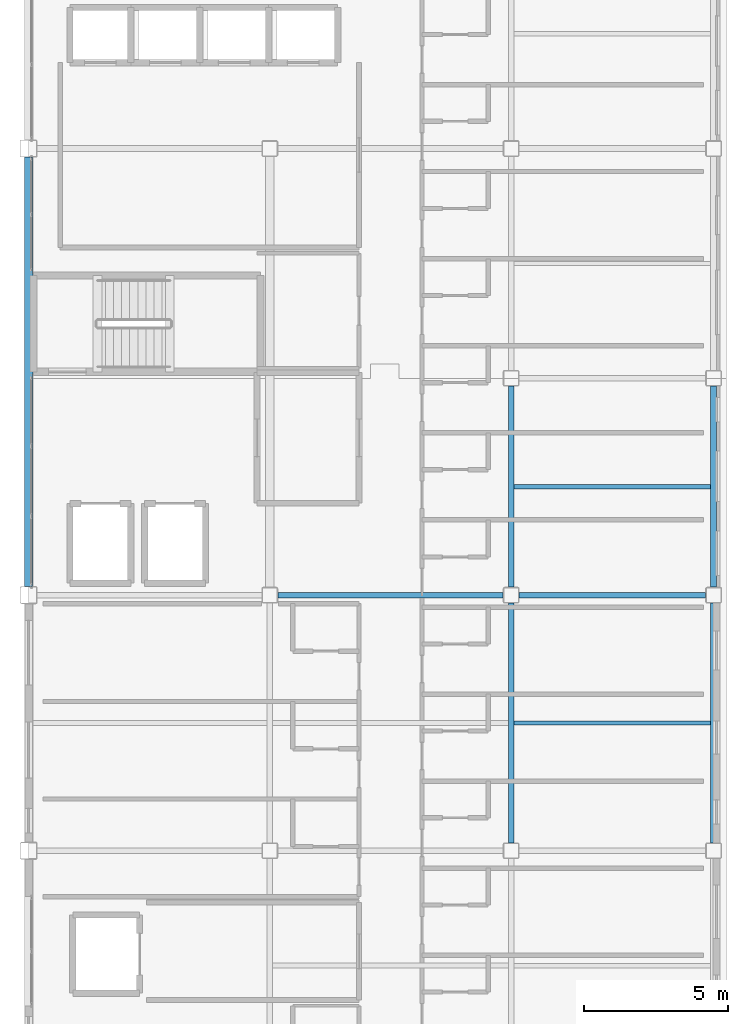
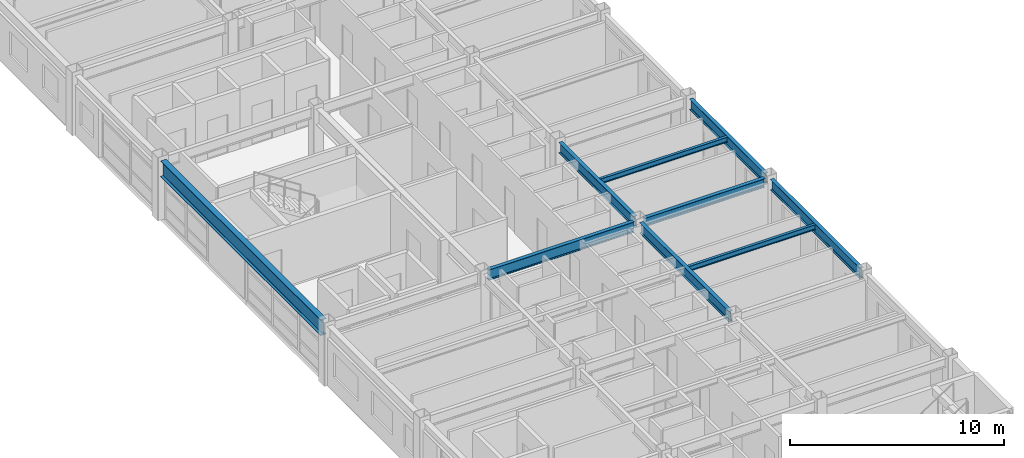
# One storey, part 13 of 36: 9 beams.
"""IFC4 building model written with IfcOpenShell, lengths in metres."""

import ifcopenshell
import ifcopenshell.guid

model = None  # the IFC model being written
_history = None  # IfcOwnerHistory: only IFC2X3 demands one
_inside = {}  # id of a spatial element -> (the spatial element, [elements in it])
_under = {}  # id of a project, library or spatial element -> (it, [spatial elements below it])
_declared = {}  # id of a project -> (the project, [libraries it declares])
_typed = {}  # id of a type object -> (the type object, [elements of that type])
_made_of = {}  # id of a material, layer set ... -> (it, [elements and type objects made of it])


def new_model(schema):
    """Start an empty IFC model of exactly this schema.

    Asked for "IFC4X3", IfcOpenShell would pick the latest addendum, in which some entities
    have other attributes; the version numbers below select the first issue.
    IFC2X3 requires an IfcOwnerHistory on every rooted entity: one is made here for all.
    """
    global model, _history
    if schema == "IFC4X3":
        model = ifcopenshell.file(schema_version=(4, 3, 0, 0))
    else:
        model = ifcopenshell.file(schema=schema)
    _inside.clear()
    _under.clear()
    _declared.clear()
    _typed.clear()
    _made_of.clear()
    _history = None
    if model.schema == "IFC2X3":
        org = make("IfcOrganization", Name="unknown")
        user = make(
            "IfcPersonAndOrganization",
            ThePerson=make("IfcPerson", FamilyName="unknown"),
            TheOrganization=org,
        )
        app = make(
            "IfcApplication",
            ApplicationDeveloper=org,
            Version="unknown",
            ApplicationFullName="unknown",
            ApplicationIdentifier="unknown",
        )
        _history = make(
            "IfcOwnerHistory",
            OwningUser=user,
            OwningApplication=app,
            ChangeAction="ADDED",
            CreationDate=0,
        )
    return model


def make(cls, **values):
    """One entity of the class cls with the attributes given. An attribute that is None is left unset."""
    return model.create_entity(
        cls, **{name: value for name, value in values.items() if value is not None}
    )


def rooted(cls, **values):
    """An entity with a GlobalId (a new one), such as an element, a storey or a relation."""
    return make(cls, GlobalId=ifcopenshell.guid.new(), OwnerHistory=_history, **values)


def si_unit(unit_type, name, prefix=None):
    """IfcSIUnit, for example si_unit("LENGTHUNIT", "METRE", prefix="MILLI")."""
    return make("IfcSIUnit", UnitType=unit_type, Prefix=prefix, Name=name)


def assignment(units):
    """IfcUnitAssignment: the units of a project."""
    return None if units is None else make("IfcUnitAssignment", Units=units)


def point(xyz):
    """IfcCartesianPoint."""
    return None if xyz is None else make("IfcCartesianPoint", Coordinates=xyz)


def direction(xyz):
    """IfcDirection."""
    return None if xyz is None else make("IfcDirection", DirectionRatios=xyz)


def frame(location, z_axis=None, x_axis=None):
    """IfcAxis2Placement3D, a coordinate frame: its origin and axes. An axis left out is left unset."""
    return make(
        "IfcAxis2Placement3D",
        Location=point(location),
        Axis=direction(z_axis),
        RefDirection=direction(x_axis),
    )


def frame_2d(location, x_axis=None):
    """IfcAxis2Placement2D, a coordinate frame in the plane: its origin and x axis."""
    return make(
        "IfcAxis2Placement2D", Location=point(location), RefDirection=direction(x_axis)
    )


def origin():
    """The frame at (0, 0, 0) with its axes left unset."""
    return frame((0.0, 0.0, 0.0))


def origin_2d():
    """The frame at (0, 0) in the plane with its x axis left unset."""
    return frame_2d((0.0, 0.0))


def place(relative_to, where):
    """IfcLocalPlacement: puts the frame where relative to a parent placement (None: the world)."""
    return make(
        "IfcLocalPlacement", PlacementRelTo=relative_to, RelativePlacement=where
    )


def context(
    kind, dimensions, precision=None, world=None, true_north=None, identifier=None
):
    """IfcGeometricRepresentationContext, for example the 3D "Model" context."""
    return make(
        "IfcGeometricRepresentationContext",
        ContextIdentifier=identifier,
        ContextType=kind,
        CoordinateSpaceDimension=dimensions,
        Precision=precision,
        WorldCoordinateSystem=world,
        TrueNorth=true_north,
    )


def subcontext(parent, identifier, kind, view, scale=None):
    """IfcGeometricRepresentationSubContext, for example "Body" below "Model"."""
    return make(
        "IfcGeometricRepresentationSubContext",
        ContextIdentifier=identifier,
        ContextType=kind,
        ParentContext=parent,
        TargetScale=scale,
        TargetView=view,
    )


def project(units=None, contexts=None):
    """IfcProject with its units and contexts."""
    return rooted(
        "IfcProject",
        Name="project",
        RepresentationContexts=contexts,
        UnitsInContext=assignment(units),
    )


def spatial(cls, under=None, at=None, **own):
    """A site, building, storey or space (cls), placed at a placement, below another one or the project."""
    s = rooted(cls, ObjectPlacement=at, **own)
    if under is not None:
        _under.setdefault(under.id(), (under, []))[1].append(s)
    return s


def profile(cls, at=None, kind="AREA", **sizes):
    """A parametric profile (cls). Its sizes go by their IFC names, for example OverallWidth=200.0."""
    return make(cls, ProfileType=kind, Position=at, **sizes)


def i_section(**sizes):
    """IfcIShapeProfileDef."""
    return profile("IfcIShapeProfileDef", **sizes)


def extrude(swept, where, along, depth):
    """IfcExtrudedAreaSolid: the profile swept, set in the frame where, extruded along a direction by depth."""
    return make(
        "IfcExtrudedAreaSolid",
        SweptArea=swept,
        Position=where,
        ExtrudedDirection=direction(along),
        Depth=depth,
    )


def shape(context_of_items, identifier, shape_type, items):
    """IfcShapeRepresentation: the items that make up one representation, for example the "Body"."""
    return make(
        "IfcShapeRepresentation",
        ContextOfItems=context_of_items,
        RepresentationIdentifier=identifier,
        RepresentationType=shape_type,
        Items=items,
    )


def material(Name=None, Category=None):
    """IfcMaterial."""
    return make("IfcMaterial", Name=Name, Category=Category)


def material_profile(
    of_material, cross_section, Name=None, Category=None, Priority=None
):
    """IfcMaterialProfile: a cross section and its material."""
    return make(
        "IfcMaterialProfile",
        Name=Name,
        Material=of_material,
        Profile=cross_section,
        Priority=Priority,
        Category=Category,
    )


def profile_set(profiles, Name=None, composite=None):
    """IfcMaterialProfileSet."""
    return make(
        "IfcMaterialProfileSet",
        Name=Name,
        MaterialProfiles=profiles,
        CompositeProfile=composite,
    )


def made_of(thing, what):
    """Note that an element or type object is made of a material, layer set ...; save() writes the relation."""
    if what is not None:
        _made_of.setdefault(what.id(), (what, []))[1].append(thing)
    return thing


def type_object(cls, material=None, **own):
    """A type object (cls), such as IfcWallType, which elements share."""
    return made_of(rooted(cls, **own), material)


def element(
    cls,
    number,
    at=None,
    inside=None,
    cuts=None,
    type_object=None,
    material=None,
    context=None,
    identifier="Body",
    shape_type=None,
    held_by="IfcProductDefinitionShape",
    body=None,
    shapes=None,
    **own,
):
    """One element of the class cls, such as IfcWall. Its Tag is "e" and its number.

    at: its placement. inside: the storey or other place that contains it. cuts: it is an
    opening in that element (IfcRelVoidsElement). A single representation is given by context,
    identifier, shape_type and body (its items); several are given by shapes. held_by: the class
    of the entity that holds the representations. save() writes the other relations.
    """
    e = rooted(cls, Tag="e%d" % number, ObjectPlacement=at, **own)
    if body is not None:
        shapes = [shape(context, identifier, shape_type, body)]
    if shapes is not None:
        e.Representation = make(held_by, Representations=shapes)
    if inside is not None:
        _inside.setdefault(inside.id(), (inside, []))[1].append(e)
    if cuts is not None:
        rooted(
            "IfcRelVoidsElement", RelatingBuildingElement=cuts, RelatedOpeningElement=e
        )
    if type_object is not None:
        _typed.setdefault(type_object.id(), (type_object, []))[1].append(e)
    return made_of(e, material)


def aggregate(whole, parts):
    """IfcRelAggregates: a whole, such as a stair, and the parts it consists of."""
    return rooted("IfcRelAggregates", RelatingObject=whole, RelatedObjects=parts)


def save(model, path):
    """Write the relations noted so far, then the file.

    IfcRelAggregates (storeys below a building ...), IfcRelContainedInSpatialStructure (elements
    in a storey), IfcRelDefinesByType, IfcRelAssociatesMaterial and IfcRelDeclares: one each for
    every whole, place, type object, material and project.
    """
    for whole, parts in _under.values():
        aggregate(whole, parts)
    for where, things in _inside.values():
        rooted(
            "IfcRelContainedInSpatialStructure",
            RelatedElements=things,
            RelatingStructure=where,
        )
    for kind, things in _typed.values():
        rooted("IfcRelDefinesByType", RelatedObjects=things, RelatingType=kind)
    for what, things in _made_of.values():
        rooted("IfcRelAssociatesMaterial", RelatedObjects=things, RelatingMaterial=what)
    for by, libraries in _declared.values():
        rooted("IfcRelDeclares", RelatingContext=by, RelatedDefinitions=libraries)
    model.write(path)


model = new_model("IFC4")

# Units and contexts
model_context = context("Model", 3, precision=1e-05, world=origin(), true_north=direction((0.0, 1.0)))
body_context = subcontext(model_context, "Body", "Model", "MODEL_VIEW")
ifc_project = project(units=[si_unit("LENGTHUNIT", "METRE"), si_unit("AREAUNIT", "SQUARE_METRE"), si_unit("VOLUMEUNIT", "CUBIC_METRE"), si_unit("PLANEANGLEUNIT", "RADIAN"), si_unit("MASSUNIT", "GRAM", prefix="KILO")], contexts=[model_context])

# Site, building, storey
site_placement = place(None, origin())
site = spatial("IfcSite", under=ifc_project, at=site_placement, CompositionType="ELEMENT")
building_placement = place(site_placement, origin())
building = spatial("IfcBuilding", under=site, at=building_placement, Name="Kazehara Bluff Congress Hotel", CompositionType="ELEMENT")
storey_placement = place(building_placement, frame((0.0, 0.0, 31.800048828125)))
storey = spatial("IfcBuildingStorey", under=building, at=storey_placement, Name="L07", CompositionType="ELEMENT", Elevation=31.800048828125)

# Beams
ifc_material_1 = material(Name="Steel SN490B", Category="steel")
ifc_material_profile_1 = material_profile(ifc_material_1, i_section(OverallWidth=0.199951171875, OverallDepth=0.5, WebThickness=0.010009765625, FlangeThickness=0.01611328125, FilletRadius=0.012939453125, at=origin_2d()))
ifc_profile_set_1 = profile_set([ifc_material_profile_1], Name="Steel SN490B")
beam_type_1 = type_object("IfcBeamType", Name="TP-G-01", PredefinedType="BEAM", material=ifc_profile_set_1)
beam_1_placement = place(storey_placement, frame((160.77490234375, 40.89990234375, 3.1298828125), z_axis=(1.0, 0.0, 0.0), x_axis=(0.0, 1.0, 0.0)))
element("IfcBeam", 1, at=beam_1_placement, inside=storey, type_object=beam_type_1, Name="L07 girder G-01 50", PredefinedType="BEAM", context=body_context, shape_type="SweptSolid", body=[
    extrude(i_section(OverallWidth=0.199951171875, OverallDepth=0.5, WebThickness=0.010009765625, FlangeThickness=0.01611328125, FilletRadius=0.012939453125, at=origin_2d()), origin(), (0.0, 0.0, 1.0), 6.5),
])
ifc_material_2 = material(Name="Steel SN490B", Category="steel")
ifc_material_profile_2 = material_profile(ifc_material_2, i_section(OverallWidth=0.199951171875, OverallDepth=0.60009765625, WebThickness=0.010986328125, FlangeThickness=0.01708984375, FilletRadius=0.012939453125, at=origin_2d()))
ifc_profile_set_2 = profile_set([ifc_material_profile_2], Name="Steel SN490B")
beam_type_2 = type_object("IfcBeamType", Name="TP-G-02", PredefinedType="BEAM", material=ifc_profile_set_2)
beam_2_placement = place(storey_placement, frame((160.5, 32.27490234375, 3.079833984375), z_axis=(0.0, 1.0, 0.0), x_axis=(-1.0, 0.0, 0.0)))
element("IfcBeam", 2, at=beam_2_placement, inside=storey, type_object=beam_type_2, Name="L07 girder G-02 22", PredefinedType="BEAM", context=body_context, shape_type="SweptSolid", body=[
    extrude(i_section(OverallWidth=0.199951171875, OverallDepth=0.60009765625, WebThickness=0.010986328125, FlangeThickness=0.01708984375, FilletRadius=0.012939453125, at=origin_2d()), origin(), (0.0, 0.0, 1.0), 8.35009765625),
])
beam_3_placement = place(storey_placement, frame((160.5, 41.175048828125, 3.079833984375), z_axis=(0.0, 1.0, 0.0), x_axis=(-1.0, 0.0, 0.0)))
element("IfcBeam", 3, at=beam_3_placement, inside=storey, type_object=beam_type_2, Name="L07 girder G-02 23", PredefinedType="BEAM", context=body_context, shape_type="SweptSolid", body=[
    extrude(i_section(OverallWidth=0.199951171875, OverallDepth=0.60009765625, WebThickness=0.010986328125, FlangeThickness=0.01708984375, FilletRadius=0.012939453125, at=origin_2d()), origin(), (0.0, 0.0, 1.0), 7.0),
])
beam_4_placement = place(storey_placement, frame((167.550048828125, 32.27490234375, 3.079833984375), z_axis=(0.0, 1.0, 0.0), x_axis=(-1.0, 0.0, 0.0)))
element("IfcBeam", 4, at=beam_4_placement, inside=storey, type_object=beam_type_2, Name="L07 girder G-02 30", PredefinedType="BEAM", context=body_context, shape_type="SweptSolid", body=[
    extrude(i_section(OverallWidth=0.199951171875, OverallDepth=0.60009765625, WebThickness=0.010986328125, FlangeThickness=0.01708984375, FilletRadius=0.012939453125, at=origin_2d()), origin(), (0.0, 0.0, 1.0), 8.35009765625),
])
beam_5_placement = place(storey_placement, frame((167.550048828125, 41.175048828125, 3.079833984375), z_axis=(0.0, 1.0, 0.0), x_axis=(-1.0, 0.0, 0.0)))
element("IfcBeam", 5, at=beam_5_placement, inside=storey, type_object=beam_type_2, Name="L07 girder G-02 31", PredefinedType="BEAM", context=body_context, shape_type="SweptSolid", body=[
    extrude(i_section(OverallWidth=0.199951171875, OverallDepth=0.60009765625, WebThickness=0.010986328125, FlangeThickness=0.01708984375, FilletRadius=0.012939453125, at=origin_2d()), origin(), (0.0, 0.0, 1.0), 7.0),
])
beam_6_placement = place(storey_placement, frame((152.375, 40.89990234375, 3.079833984375), z_axis=(1.0, 0.0, 0.0), x_axis=(0.0, 1.0, 0.0)))
element("IfcBeam", 6, at=beam_6_placement, inside=storey, type_object=beam_type_2, Name="L07 girder G-02 49", PredefinedType="BEAM", context=body_context, shape_type="SweptSolid", body=[
    extrude(i_section(OverallWidth=0.199951171875, OverallDepth=0.60009765625, WebThickness=0.010986328125, FlangeThickness=0.01708984375, FilletRadius=0.012939453125, at=origin_2d()), origin(), (0.0, 0.0, 1.0), 7.85009765625),
])
ifc_material_3 = material(Name="Steel SN490B", Category="steel")
ifc_material_profile_3 = material_profile(ifc_material_3, i_section(OverallWidth=0.300048828125, OverallDepth=0.89990234375, WebThickness=0.01611328125, FlangeThickness=0.028076171875, FilletRadius=0.01806640625, at=origin_2d()))
ifc_profile_set_3 = profile_set([ifc_material_profile_3], Name="Steel SN490B")
beam_type_3 = type_object("IfcBeamType", Name="TP-G-08", PredefinedType="BEAM", material=ifc_profile_set_3)
beam_7_placement = place(storey_placement, frame((143.699951171875, 41.199951171875, 2.929931640625), z_axis=(0.0, 1.0, 0.0), x_axis=(-1.0, 0.0, 0.0)))
element("IfcBeam", 7, at=beam_7_placement, inside=storey, type_object=beam_type_3, Name="L07 girder G-08 5", PredefinedType="BEAM", context=body_context, shape_type="SweptSolid", body=[
    extrude(i_section(OverallWidth=0.300048828125, OverallDepth=0.89990234375, WebThickness=0.01611328125, FlangeThickness=0.028076171875, FilletRadius=0.01806640625, at=origin_2d()), origin(), (0.0, 0.0, 1.0), 14.949951171875),
])
ifc_material_4 = material(Name="Steel SN400B", Category="steel")
ifc_material_profile_4 = material_profile(ifc_material_4, i_section(OverallWidth=0.14990234375, OverallDepth=0.300048828125, WebThickness=0.006591796875, FlangeThickness=0.009033203125, FilletRadius=0.012939453125, at=origin_2d()))
ifc_profile_set_4 = profile_set([ifc_material_profile_4], Name="Steel SN400B")
beam_type_4 = type_object("IfcBeamType", Name="TP-J-01", PredefinedType="JOIST", material=ifc_profile_set_4)
for number, where, z_axis, x_axis, name in (
    (8, (160.60009765625, 36.449951171875, 3.22998046875), (1.0, 0.0, 0.0), (0.0, 1.0, 0.0), "L07 secondary joist J-01 15"),
    (9, (160.60009765625, 44.675048828125, 3.22998046875), (1.0, 0.0, 0.0), (0.0, 1.0, 0.0), "L07 secondary joist J-01 16"),
):
    element("IfcBeam", number, at=place(storey_placement, frame(where, z_axis=z_axis, x_axis=x_axis)), inside=storey, type_object=beam_type_4, Name=name, PredefinedType="JOIST", context=body_context, shape_type="SweptSolid", body=[
        extrude(i_section(OverallWidth=0.14990234375, OverallDepth=0.300048828125, WebThickness=0.006591796875, FlangeThickness=0.009033203125, FilletRadius=0.012939453125, at=origin_2d()), origin(), (0.0, 0.0, 1.0), 6.849853515625),
    ])

save(model, "model.ifc")
